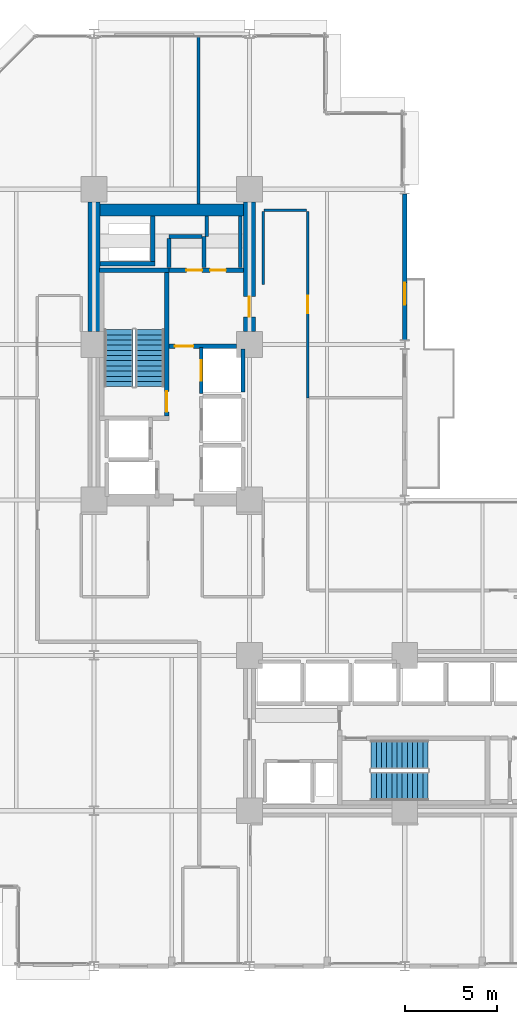
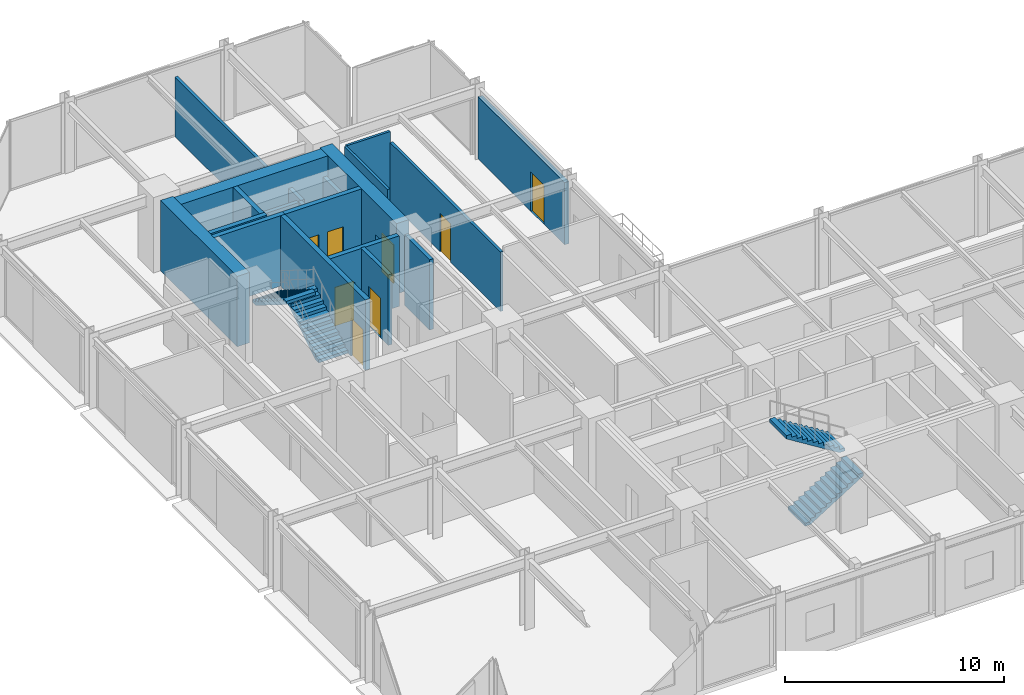
# One storey, part 22 of 25: 21 walls, 8 doors, 4 stair flights, 8 openings, 2 elements without a shape of their own.
"""IFC4 building model written with IfcOpenShell, lengths in metres."""

from ifc_helpers import new_model, si_unit, direction, frame, frame_2d, origin, place, context, subcontext, project, spatial, polyline, rectangle, outline, extrude, material, layer, layer_set, type_object, element, fill, aggregate, save


model = new_model("IFC4")

# Units and contexts
model_context = context("Model", 3, precision=1e-05, world=origin(), true_north=direction((0.0, 1.0)))
body_context = subcontext(model_context, "Body", "Model", "MODEL_VIEW")
ifc_project = project(units=[si_unit("LENGTHUNIT", "METRE"), si_unit("AREAUNIT", "SQUARE_METRE"), si_unit("VOLUMEUNIT", "CUBIC_METRE"), si_unit("PLANEANGLEUNIT", "RADIAN"), si_unit("MASSUNIT", "GRAM", prefix="KILO")], contexts=[model_context])

# Site, building, storey
site_placement = place(None, origin())
site = spatial("IfcSite", under=ifc_project, at=site_placement, CompositionType="ELEMENT")
building_placement = place(site_placement, origin())
building = spatial("IfcBuilding", under=site, at=building_placement, Name="Nerrivon Quay Data Exchange", CompositionType="ELEMENT")
storey_placement = place(building_placement, frame((0.0, 0.0, 54.199951171875)))
storey = spatial("IfcBuildingStorey", under=building, at=storey_placement, Name="L12", CompositionType="ELEMENT", Elevation=54.199951171875)

# Wall, opening, door
ifc_material_1 = material(Name="Architectural terracotta precast concrete N50 (50 MPa)", Category="masonry")
ifc_layer_1 = layer(ifc_material_1, 0.239990234375)
ifc_layer_set_1 = layer_set([ifc_layer_1], Name="Architectural terracotta precast concrete N50 (50 MPa)")
wall_type_1 = type_object("IfcWallType", Name="EW-PREC-240", PredefinedType="STANDARD", material=ifc_layer_set_1)
wall_1_placement = place(storey_placement, frame((25.199951171875, 41.75, 0.0), z_axis=(0.0, 0.0, 1.0), x_axis=(0.0, -1.0, 0.0)))
wall_1 = element("IfcWall", 1, at=wall_1_placement, inside=storey, type_object=wall_type_1, Name="L12 Terrace Host Wall 26", PredefinedType="STANDARD", context=body_context, shape_type="SweptSolid", body=[
    extrude(rectangle(XDim=7.89990234375, YDim=0.239990234375, at=frame_2d((3.949951171875, 0.0))), origin(), (0.0, 0.0, 1.0), 3.470947265625),
])
opening_1_placement = place(wall_1_placement, frame((4.800048828125, 0.0, 0.0)))
opening_1 = element("IfcOpeningElement", 2, at=opening_1_placement, cuts=wall_1, Name="Opening TD1", PredefinedType="OPENING", context=body_context, shape_type="SweptSolid", body=[
    extrude(rectangle(XDim=1.199951171875, YDim=2.199951171875, at=frame_2d((0.60009765625, 1.10009765625))), frame((0.0, 0.1298828125, 0.0), z_axis=(0.0, -1.0, 0.0), x_axis=(1.0, 0.0, 0.0)), (0.0, 0.0, 1.0), 0.260009765625),
])
ifc_material_2 = material(Name="Double-glazed low-E solar control glass", Category="glass")
door_type_1 = type_object("IfcDoorType", Name="DR-TERR-1200x2200", OperationType="NOTDEFINED", PredefinedType="DOOR", material=ifc_material_2)
door_1_placement = place(opening_1_placement, origin())
door_1 = element("IfcDoor", 3, at=door_1_placement, inside=storey, type_object=door_type_1, Name="L12 Outdoor Terrace Access Door 26", OperationType="SINGLE_SWING_LEFT", OverallHeight=2.199951171875, OverallWidth=1.199951171875, PredefinedType="DOOR", context=body_context, shape_type="SweptSolid", body=[
    extrude(rectangle(XDim=1.199951171875, YDim=2.199951171875, at=frame_2d((0.60009765625, 1.10009765625))), frame((0.0, 0.02490234375, 0.0), z_axis=(0.0, -1.0, 0.0), x_axis=(1.0, 0.0, 0.0)), (0.0, 0.0, 1.0), 0.050048828125),
])
fill(opening_1, door_1)

# Walls
ifc_material_3 = material(Name="Concrete N80 (80 MPa)", Category="concrete")
ifc_layer_2 = layer(ifc_material_3, 0.64990234375)
ifc_layer_set_2 = layer_set([ifc_layer_2], Name="Concrete N80 (80 MPa)")
wall_type_2 = type_object("IfcWallType", Name="WALL-CW-850", PredefinedType="SHEAR", material=ifc_layer_set_2)
wall_2_placement = place(storey_placement, frame((8.39990234375, 34.300048828125, 0.0), z_axis=(0.0, 0.0, 1.0), x_axis=(0.0, 1.0, 0.0)))
element("IfcWall", 4, at=wall_2_placement, inside=storey, type_object=wall_type_2, Name="L12 West Split-Core Shear Wall WCW-W2", PredefinedType="SHEAR", context=body_context, shape_type="SweptSolid", body=[
    extrude(rectangle(XDim=7.0, YDim=0.64990234375, at=frame_2d((3.5, 0.0))), origin(), (0.0, 0.0, 1.0), 3.925048828125),
])
wall_3_placement = place(storey_placement, frame((8.72509765625, 40.875, 0.0), z_axis=(0.0, 0.0, 1.0), x_axis=(1.0, 0.0, 0.0)))
element("IfcWall", 5, at=wall_3_placement, inside=storey, type_object=wall_type_2, Name="L12 West Split-Core Shear Wall WCW-N1", PredefinedType="SHEAR", context=body_context, shape_type="SweptSolid", body=[
    extrude(rectangle(XDim=7.75, YDim=0.64990234375, at=frame_2d((3.875, 0.0))), origin(), (0.0, 0.0, 1.0), 3.925048828125),
])

# Wall, opening, door
wall_4_placement = place(storey_placement, frame((16.800048828125, 34.300048828125, 0.0), z_axis=(0.0, 0.0, 1.0), x_axis=(0.0, 1.0, 0.0)))
wall_4 = element("IfcWall", 6, at=wall_4_placement, inside=storey, type_object=wall_type_2, Name="L12 West Split-Core Shear Wall WCW-E1", PredefinedType="SHEAR", context=body_context, shape_type="SweptSolid", body=[
    extrude(rectangle(XDim=7.0, YDim=0.64990234375, at=frame_2d((3.5, 0.0))), origin(), (0.0, 0.0, 1.0), 3.925048828125),
])
opening_2_placement = place(wall_4_placement, frame((0.800048828125, 0.0, 0.0)))
opening_2 = element("IfcOpeningElement", 7, at=opening_2_placement, cuts=wall_4, Name="Opening FD-120", PredefinedType="OPENING", context=body_context, shape_type="SweptSolid", body=[
    extrude(rectangle(XDim=1.10009765625, YDim=2.14990234375, at=frame_2d((0.550048828125, 1.074951171875))), frame((0.0, 0.3349609375, 0.0), z_axis=(0.0, -1.0, 0.0), x_axis=(1.0, 0.0, 0.0)), (0.0, 0.0, 1.0), 0.669921875),
])
ifc_material_4 = material(Name="Powder-coated galvanized steel sheet", Category="steel")
door_type_2 = type_object("IfcDoorType", Name="DR-FD120-1100", OperationType="NOTDEFINED", PredefinedType="DOOR", material=ifc_material_4)
door_2_placement = place(opening_2_placement, origin())
door_2 = element("IfcDoor", 8, at=door_2_placement, inside=storey, type_object=door_type_2, Name="L12 West Core Lobby Fire Door", OperationType="SINGLE_SWING_RIGHT", OverallHeight=2.14990234375, OverallWidth=1.10009765625, PredefinedType="DOOR", context=body_context, shape_type="SweptSolid", body=[
    extrude(rectangle(XDim=1.10009765625, YDim=2.14990234375, at=frame_2d((0.550048828125, 1.074951171875))), frame((0.0, 0.02490234375, 0.0), z_axis=(0.0, -1.0, 0.0), x_axis=(1.0, 0.0, 0.0)), (0.0, 0.0, 1.0), 0.050048828125),
])
fill(opening_2, door_2)

ifc_material_5 = material(Name="Gypsum plasterboard on cold-formed framing", Category="gypsum")
ifc_layer_3 = layer(ifc_material_5, 0.199951171875)
ifc_layer_set_3 = layer_set([ifc_layer_3], Name="Gypsum plasterboard on cold-formed framing")
wall_type_3 = type_object("IfcWallType", Name="WALL-FW-200", PredefinedType="PARTITIONING", material=ifc_layer_set_3)
wall_5_placement = place(storey_placement, frame((14.199951171875, 30.949951171875, 0.0), z_axis=(0.0, 0.0, 1.0), x_axis=(0.0, 1.0, 0.0)))
wall_5 = element("IfcWall", 9, at=wall_5_placement, inside=storey, type_object=wall_type_3, Name="L12 Lift Front Wall PL3", PredefinedType="PARTITIONING", context=body_context, shape_type="SweptSolid", body=[
    extrude(rectangle(XDim=2.5, YDim=0.199951171875, at=frame_2d((1.25, 0.0))), origin(), (0.0, 0.0, 1.0), 3.925048828125),
])
opening_3_placement = place(wall_5_placement, frame((0.699951171875, 0.0, 0.0)))
opening_3 = element("IfcOpeningElement", 10, at=opening_3_placement, cuts=wall_5, Name="Opening LD-120", PredefinedType="OPENING", context=body_context, shape_type="SweptSolid", body=[
    extrude(rectangle(XDim=1.10009765625, YDim=2.199951171875, at=frame_2d((0.550048828125, 1.10009765625))), frame((0.0, 0.10986328125, 0.0), z_axis=(0.0, -1.0, 0.0), x_axis=(1.0, 0.0, 0.0)), (0.0, 0.0, 1.0), 0.219970703125),
])
door_type_3 = type_object("IfcDoorType", Name="DR-LIFT-LD120", OperationType="DOUBLE_DOOR_SLIDING", PredefinedType="DOOR", material=ifc_material_4)
door_3_placement = place(opening_3_placement, origin())
door_3 = element("IfcDoor", 11, at=door_3_placement, inside=storey, type_object=door_type_3, Name="L12 Lift Landing Sliding Door PL3", OperationType="DOUBLE_DOOR_SLIDING", OverallHeight=2.199951171875, OverallWidth=1.10009765625, PredefinedType="DOOR", context=body_context, shape_type="SweptSolid", body=[
    extrude(rectangle(XDim=1.10009765625, YDim=2.199951171875, at=frame_2d((0.550048828125, 1.10009765625))), frame((0.0, 0.02490234375, 0.0), z_axis=(0.0, -1.0, 0.0), x_axis=(1.0, 0.0, 0.0)), (0.0, 0.0, 1.0), 0.050048828125),
])
fill(opening_3, door_3)

# Walls
wall_6_placement = place(storey_placement, frame((16.449951171875, 31.050048828125, 0.0), z_axis=(0.0, 0.0, 1.0), x_axis=(0.0, 1.0, 0.0)))
element("IfcWall", 12, at=wall_6_placement, inside=storey, type_object=wall_type_3, Name="L12 Lift Shaft Wall PL3 EAST", PredefinedType="PARTITIONING", context=body_context, shape_type="SweptSolid", body=[
    extrude(rectangle(XDim=2.300048828125, YDim=0.199951171875, at=frame_2d((1.14990234375, 0.0))), origin(), (0.0, 0.0, 1.0), 3.925048828125),
])
wall_7_placement = place(storey_placement, frame((14.35009765625, 37.780029296875, 0.0), z_axis=(0.0, 0.0, 1.0), x_axis=(0.0, 1.0, 0.0)))
element("IfcWall", 13, at=wall_7_placement, inside=storey, type_object=wall_type_3, Name="L12 Partition Equipment Store", PredefinedType="PARTITIONING", context=body_context, shape_type="SweptSolid", body=[
    extrude(rectangle(XDim=1.669921875, YDim=0.199951171875, at=frame_2d((0.8349609375, 0.0))), origin(), (0.0, 0.0, 1.0), 2.824951171875),
])
wall_8_placement = place(storey_placement, frame((14.24609375, 39.449951171875, 0.0), z_axis=(0.0, 0.0, 1.0), x_axis=(-1.0, 0.0, 0.0)))
element("IfcWall", 14, at=wall_8_placement, inside=storey, type_object=wall_type_3, Name="L12 Partition Equipment Store", PredefinedType="PARTITIONING", context=body_context, shape_type="SweptSolid", body=[
    extrude(rectangle(XDim=1.796142578125, YDim=0.199951171875, at=frame_2d((0.89794921875, 0.0))), origin(), (0.0, 0.0, 1.0), 2.824951171875),
])
wall_9_placement = place(storey_placement, frame((12.449951171875, 39.345947265625, 0.0), z_axis=(0.0, 0.0, 1.0), x_axis=(0.0, -1.0, 0.0)))
element("IfcWall", 15, at=wall_9_placement, inside=storey, type_object=wall_type_3, Name="L12 Partition Equipment Store", PredefinedType="PARTITIONING", context=body_context, shape_type="SweptSolid", body=[
    extrude(rectangle(XDim=1.56591796875, YDim=0.199951171875, at=frame_2d((0.782958984375, 0.0))), origin(), (0.0, 0.0, 1.0), 2.824951171875),
])
wall_10_placement = place(storey_placement, frame((16.300048828125, 37.780029296875, 0.0), z_axis=(0.0, 0.0, 1.0), x_axis=(0.0, 1.0, 0.0)))
element("IfcWall", 16, at=wall_10_placement, inside=storey, type_object=wall_type_3, Name="L12 Partition Cleaners Store", PredefinedType="PARTITIONING", context=body_context, shape_type="SweptSolid", body=[
    extrude(rectangle(XDim=2.765869140625, YDim=0.199951171875, at=frame_2d((1.3828125, 0.0))), origin(), (0.0, 0.0, 1.0), 2.824951171875),
])
wall_11_placement = place(storey_placement, frame((14.489990234375, 40.5458984375, 0.0), z_axis=(0.0, 0.0, 1.0), x_axis=(0.0, -1.0, 0.0)))
element("IfcWall", 17, at=wall_11_placement, inside=storey, type_object=wall_type_3, Name="L12 Partition Cleaners Store", PredefinedType="PARTITIONING", context=body_context, shape_type="SweptSolid", body=[
    extrude(rectangle(XDim=1.095947265625, YDim=0.199951171875, at=frame_2d((0.5478515625, 0.0))), origin(), (0.0, 0.0, 1.0), 2.824951171875),
])
ifc_layer_4 = layer(ifc_material_5, 0.1201171875)
ifc_layer_set_4 = layer_set([ifc_layer_4], Name="Gypsum plasterboard on cold-formed framing")
wall_type_4 = type_object("IfcWallType", Name="WALL-PT-120", PredefinedType="PARTITIONING", material=ifc_layer_set_4)
wall_12_placement = place(storey_placement, frame((17.60009765625, 40.860107421875, 0.0), z_axis=(0.0, 0.0, 1.0), x_axis=(1.0, 0.0, 0.0)))
element("IfcWall", 18, at=wall_12_placement, inside=storey, type_object=wall_type_4, Name="L12 Partition Staff Bistro", PredefinedType="PARTITIONING", context=body_context, shape_type="SweptSolid", body=[
    extrude(rectangle(XDim=2.2998046875, YDim=0.1201171875, at=frame_2d((1.14990234375, 0.0))), origin(), (0.0, 0.0, 1.0), 3.925048828125),
])
ifc_layer_5 = layer(ifc_material_5, 0.135009765625)
ifc_layer_set_5 = layer_set([ifc_layer_5], Name="Gypsum plasterboard on cold-formed framing")
wall_type_5 = type_object("IfcWallType", Name="WALL-PT-135", PredefinedType="PARTITIONING", material=ifc_layer_set_5)
wall_13_placement = place(storey_placement, frame((17.5400390625, 36.860107421875, 0.0), z_axis=(0.0, 0.0, 1.0), x_axis=(0.0, 1.0, 0.0)))
element("IfcWall", 19, at=wall_13_placement, inside=storey, type_object=wall_type_5, Name="L12 Partition Staff Bistro", PredefinedType="PARTITIONING", context=body_context, shape_type="SweptSolid", body=[
    extrude(rectangle(XDim=3.93994140625, YDim=0.135009765625, at=frame_2d((1.969970703125, 0.0))), origin(), (0.0, 0.0, 1.0), 3.925048828125),
])

# Wall, opening, door
ifc_layer_6 = layer(ifc_material_5, 0.14990234375)
ifc_layer_set_6 = layer_set([ifc_layer_6], Name="Gypsum plasterboard on cold-formed framing")
wall_type_6 = type_object("IfcWallType", Name="WALL-PT-150", PredefinedType="PARTITIONING", material=ifc_layer_set_6)
wall_14_placement = place(storey_placement, frame((19.9599609375, 40.800048828125, 0.0), z_axis=(0.0, 0.0, 1.0), x_axis=(0.0, -1.0, 0.0)))
wall_14 = element("IfcWall", 20, at=wall_14_placement, inside=storey, type_object=wall_type_6, Name="L12 Partition Staff Bistro", PredefinedType="PARTITIONING", context=body_context, shape_type="SweptSolid", body=[
    extrude(rectangle(XDim=10.078125, YDim=0.14990234375, at=frame_2d((5.0390625, 0.0))), origin(), (0.0, 0.0, 1.0), 3.31298828125),
])
opening_4_placement = place(wall_14_placement, frame((4.56396484375, 0.0, 0.0)))
opening_4 = element("IfcOpeningElement", 21, at=opening_4_placement, cuts=wall_14, Name="Opening D-01", PredefinedType="OPENING", context=body_context, shape_type="SweptSolid", body=[
    extrude(rectangle(XDim=0.949951171875, YDim=2.14990234375, at=frame_2d((0.47509765625, 1.074951171875))), frame((0.0, 0.0849609375, 0.0), z_axis=(0.0, -1.0, 0.0), x_axis=(1.0, 0.0, 0.0)), (0.0, 0.0, 1.0), 0.169921875),
])
ifc_material_6 = material(Name="Engineered hardwood timber", Category="wood")
door_type_4 = type_object("IfcDoorType", Name="DR-INT-950", OperationType="NOTDEFINED", PredefinedType="DOOR", material=ifc_material_6)
door_4_placement = place(opening_4_placement, origin())
door_4 = element("IfcDoor", 22, at=door_4_placement, inside=storey, type_object=door_type_4, Name="L12 Door Staff Bistro", OperationType="SINGLE_SWING_RIGHT", OverallHeight=2.14990234375, OverallWidth=0.949951171875, PredefinedType="DOOR", context=body_context, shape_type="SweptSolid", body=[
    extrude(rectangle(XDim=0.949951171875, YDim=2.14990234375, at=frame_2d((0.47509765625, 1.074951171875))), frame((0.0, 0.02490234375, 0.0), z_axis=(0.0, -1.0, 0.0), x_axis=(1.0, 0.0, 0.0)), (0.0, 0.0, 1.0), 0.050048828125),
])
fill(opening_4, door_4)

# Walls
wall_15_placement = place(storey_placement, frame((14.0546875, 50.23095703125, 0.0), z_axis=(0.0, 0.0, 1.0), x_axis=(0.0, -1.0, 0.0)))
element("IfcWall", 23, at=wall_15_placement, inside=storey, type_object=wall_type_6, Name="L12 Partition Staff Bistro", PredefinedType="PARTITIONING", context=body_context, shape_type="SweptSolid", body=[
    extrude(rectangle(XDim=9.02685546875, YDim=0.14990234375, at=frame_2d((4.513427734375, 0.0))), origin(), (0.0, 0.0, 1.0), 3.31298828125),
])
ifc_material_7 = material(Name="Concrete N50 (50 MPa)", Category="concrete")
ifc_layer_7 = layer(ifc_material_7, 0.25)
ifc_layer_set_7 = layer_set([ifc_layer_7], Name="Concrete N50 (50 MPa)")
wall_type_7 = type_object("IfcWallType", Name="WALL-SW-250", PredefinedType="SHEAR", material=ifc_layer_set_7)
wall_16_placement = place(storey_placement, frame((12.449951171875, 37.625, 0.0), z_axis=(0.0, 0.0, 1.0), x_axis=(-1.0, 0.0, 0.0)))
element("IfcWall", 24, at=wall_16_placement, inside=storey, type_object=wall_type_7, Name="L12 ST01 Structural Stair Core Wall FAR", PredefinedType="SHEAR", context=body_context, shape_type="SweptSolid", body=[
    extrude(rectangle(XDim=3.75, YDim=0.25, at=frame_2d((1.875, 0.0))), origin(), (0.0, 0.0, 1.0), 3.925048828125),
])

# Wall, opening, door
wall_17_placement = place(storey_placement, frame((12.324951171875, 29.75, 0.0), z_axis=(0.0, 0.0, 1.0), x_axis=(0.0, 1.0, 0.0)))
wall_17 = element("IfcWall", 25, at=wall_17_placement, inside=storey, type_object=wall_type_7, Name="L12 ST01 Structural Stair Core Wall LEFT", PredefinedType="SHEAR", context=body_context, shape_type="SweptSolid", body=[
    extrude(rectangle(XDim=7.75, YDim=0.25, at=frame_2d((3.875, 0.0))), origin(), (0.0, 0.0, 1.0), 3.925048828125),
])
opening_5_placement = place(wall_17_placement, frame((0.219970703125, 0.0, 0.0)))
opening_5 = element("IfcOpeningElement", 26, at=opening_5_placement, cuts=wall_17, Name="Opening FD-120", PredefinedType="OPENING", context=body_context, shape_type="SweptSolid", body=[
    extrude(rectangle(XDim=1.10009765625, YDim=2.14990234375, at=frame_2d((0.550048828125, 1.074951171875))), frame((0.0, 0.135009765625, 0.0), z_axis=(0.0, -1.0, 0.0), x_axis=(1.0, 0.0, 0.0)), (0.0, 0.0, 1.0), 0.27001953125),
])
door_5_placement = place(opening_5_placement, origin())
door_5 = element("IfcDoor", 27, at=door_5_placement, inside=storey, type_object=door_type_2, Name="L12 Protected Stair Door ST01", OperationType="SINGLE_SWING_RIGHT", OverallHeight=2.14990234375, OverallWidth=1.10009765625, PredefinedType="DOOR", context=body_context, shape_type="SweptSolid", body=[
    extrude(rectangle(XDim=1.10009765625, YDim=2.14990234375, at=frame_2d((0.550048828125, 1.074951171875))), frame((0.0, 0.02490234375, 0.0), z_axis=(0.0, -1.0, 0.0), x_axis=(1.0, 0.0, 0.0)), (0.0, 0.0, 1.0), 0.050048828125),
])
fill(opening_5, door_5)

# Walls
wall_18_placement = place(storey_placement, frame((8.72509765625, 37.97509765625, 0.0), z_axis=(0.0, 0.0, 1.0), x_axis=(1.0, 0.0, 0.0)))
element("IfcWall", 28, at=wall_18_placement, inside=storey, type_object=wall_type_7, Name="L12 West Core MEP Riser Shaft Wall S", PredefinedType="SHEAR", context=body_context, shape_type="SweptSolid", body=[
    extrude(rectangle(XDim=2.974853515625, YDim=0.25, at=frame_2d((1.4873046875, 0.0))), origin(), (0.0, 0.0, 1.0), 3.925048828125),
])
wall_19_placement = place(storey_placement, frame((11.574951171875, 38.10009765625, 0.0), z_axis=(0.0, 0.0, 1.0), x_axis=(0.0, 1.0, 0.0)))
element("IfcWall", 29, at=wall_19_placement, inside=storey, type_object=wall_type_7, Name="L12 West Core MEP Riser Shaft Wall E", PredefinedType="SHEAR", context=body_context, shape_type="SweptSolid", body=[
    extrude(rectangle(XDim=2.449951171875, YDim=0.25, at=frame_2d((1.22509765625, 0.0))), origin(), (0.0, 0.0, 1.0), 3.925048828125),
])

# Wall, opening, door
wall_20_placement = place(storey_placement, frame((12.449951171875, 33.52001953125, 0.0), z_axis=(0.0, 0.0, 1.0), x_axis=(1.0, 0.0, 0.0)))
wall_20 = element("IfcWall", 30, at=wall_20_placement, inside=storey, type_object=wall_type_7, Name="L12 West Lobby Smoke-Stop Wall", PredefinedType="SHEAR", context=body_context, shape_type="SweptSolid", body=[
    extrude(rectangle(XDim=3.650146484375, YDim=0.25, at=frame_2d((1.8251953125, 0.0))), origin(), (0.0, 0.0, 1.0), 3.925048828125),
])
opening_6_placement = place(wall_20_placement, frame((0.320068359375, 0.0, 0.0)))
opening_6 = element("IfcOpeningElement", 31, at=opening_6_placement, cuts=wall_20, Name="Opening FD-60", PredefinedType="OPENING", context=body_context, shape_type="SweptSolid", body=[
    extrude(rectangle(XDim=1.0, YDim=2.14990234375, at=frame_2d((0.5, 1.074951171875))), frame((0.0, 0.135009765625, 0.0), z_axis=(0.0, -1.0, 0.0), x_axis=(1.0, 0.0, 0.0)), (0.0, 0.0, 1.0), 0.27001953125),
])
door_type_5 = type_object("IfcDoorType", Name="DR-FD60-1000", OperationType="NOTDEFINED", PredefinedType="DOOR", material=ifc_material_6)
door_6_placement = place(opening_6_placement, origin())
door_6 = element("IfcDoor", 32, at=door_6_placement, inside=storey, type_object=door_type_5, Name="L12 West Firefighting Lobby Fire Door", OperationType="SINGLE_SWING_RIGHT", OverallHeight=2.14990234375, OverallWidth=1.0, PredefinedType="DOOR", context=body_context, shape_type="SweptSolid", body=[
    extrude(rectangle(XDim=1.0, YDim=2.14990234375, at=frame_2d((0.5, 1.074951171875))), frame((0.0, 0.02490234375, 0.0), z_axis=(0.0, -1.0, 0.0), x_axis=(1.0, 0.0, 0.0)), (0.0, 0.0, 1.0), 0.050048828125),
])
fill(opening_6, door_6)

# Wall, openings, doors
wall_21_placement = place(storey_placement, frame((12.449951171875, 37.625, 0.0), z_axis=(0.0, 0.0, 1.0), x_axis=(1.0, 0.0, 0.0)))
wall_21 = element("IfcWall", 33, at=wall_21_placement, inside=storey, type_object=wall_type_7, Name="L12 West Firefighting Lobby Wall", PredefinedType="SHEAR", context=body_context, shape_type="SweptSolid", body=[
    extrude(rectangle(XDim=4.025146484375, YDim=0.25, at=frame_2d((2.0126953125, 0.0))), origin(), (0.0, 0.0, 1.0), 3.925048828125),
])
opening_7_placement = place(wall_21_placement, frame((0.943603515625, 0.0, 0.0)))
opening_7 = element("IfcOpeningElement", 34, at=opening_7_placement, cuts=wall_21, Name="Opening FD-60S", PredefinedType="OPENING", context=body_context, shape_type="SweptSolid", body=[
    extrude(rectangle(XDim=0.85009765625, YDim=2.14990234375, at=frame_2d((0.425048828125, 1.074951171875))), frame((0.0, 0.135009765625, 0.0), z_axis=(0.0, -1.0, 0.0), x_axis=(1.0, 0.0, 0.0)), (0.0, 0.0, 1.0), 0.27001953125),
])
opening_8_placement = place(wall_21_placement, frame((2.2314453125, 0.0, 0.0)))
opening_8 = element("IfcOpeningElement", 35, at=opening_8_placement, cuts=wall_21, Name="Opening FD-60S", PredefinedType="OPENING", context=body_context, shape_type="SweptSolid", body=[
    extrude(rectangle(XDim=0.85009765625, YDim=2.14990234375, at=frame_2d((0.425048828125, 1.074951171875))), frame((0.0, 0.135009765625, 0.0), z_axis=(0.0, -1.0, 0.0), x_axis=(1.0, 0.0, 0.0)), (0.0, 0.0, 1.0), 0.27001953125),
])
door_type_6 = type_object("IfcDoorType", Name="DR-FD60-850", OperationType="NOTDEFINED", PredefinedType="DOOR", material=ifc_material_6)
door_7_placement = place(opening_7_placement, origin())
door_7 = element("IfcDoor", 36, at=door_7_placement, inside=storey, type_object=door_type_6, Name="L12 Door Equipment Store", OperationType="SINGLE_SWING_RIGHT", OverallHeight=2.14990234375, OverallWidth=0.85009765625, PredefinedType="DOOR", context=body_context, shape_type="SweptSolid", body=[
    extrude(rectangle(XDim=0.85009765625, YDim=2.14990234375, at=frame_2d((0.425048828125, 1.074951171875))), frame((0.0, 0.02490234375, 0.0), z_axis=(0.0, -1.0, 0.0), x_axis=(1.0, 0.0, 0.0)), (0.0, 0.0, 1.0), 0.050048828125),
])
fill(opening_7, door_7)
door_8_placement = place(opening_8_placement, origin())
door_8 = element("IfcDoor", 37, at=door_8_placement, inside=storey, type_object=door_type_6, Name="L12 Door Cleaners Store", OperationType="SINGLE_SWING_LEFT", OverallHeight=2.14990234375, OverallWidth=0.85009765625, PredefinedType="DOOR", context=body_context, shape_type="SweptSolid", body=[
    extrude(rectangle(XDim=0.85009765625, YDim=2.14990234375, at=frame_2d((0.425048828125, 1.074951171875))), frame((0.0, 0.02490234375, 0.0), z_axis=(0.0, -1.0, 0.0), x_axis=(1.0, 0.0, 0.0)), (0.0, 0.0, 1.0), 0.050048828125),
])
fill(opening_8, door_8)

# Stair, stair flights
stair_type = type_object("IfcStairType", Name="STAIR-DOG-42", PredefinedType="HALF_TURN_STAIR", material=ifc_material_7)
stair_1_placement = place(storey_placement, origin())
stair_1 = element("IfcStair", 38, at=stair_1_placement, inside=storey, type_object=stair_type, Name="L12 West Core Fire Stair ST01", PredefinedType="HALF_TURN_STAIR")
stair_flight_type = type_object("IfcStairFlightType", Name="FLIGHT-DOG-42", PredefinedType="STRAIGHT", material=ifc_material_7)
stair_flight_1_placement = place(storey_placement, frame((11.425048828125, 31.330078125, 0.0), z_axis=(0.0, 0.0, 1.0), x_axis=(0.0, 1.0, 0.0)))
stair_flight_1 = element("IfcStairFlight", 39, at=stair_flight_1_placement, type_object=stair_flight_type, Name="ST01 flight 1", NumberOfRisers=12, NumberOfTreads=11, PredefinedType="STRAIGHT", RiserHeight=0.175, TreadLength=0.28, context=body_context, shape_type="SweptSolid", body=[
    extrude(outline(polyline([(0.0, 0.0), (0.0, 0.175048828125), (0.280029296875, 0.175048828125), (0.280029296875, 0.35009765625), (0.56005859375, 0.35009765625), (0.56005859375, 0.52490234375), (0.840087890625, 0.52490234375), (0.840087890625, 0.699951171875), (1.1201171875, 0.699951171875), (1.1201171875, 0.875), (1.39990234375, 0.875), (1.39990234375, 1.050048828125), (1.679931640625, 1.050048828125), (1.679931640625, 1.22509765625), (1.9599609375, 1.22509765625), (1.9599609375, 1.39990234375), (2.239990234375, 1.39990234375), (2.239990234375, 1.574951171875), (2.52001953125, 1.574951171875), (2.52001953125, 1.75), (2.800048828125, 1.75), (2.800048828125, 1.925048828125), (3.080078125, 1.925048828125), (3.080078125, 2.10009765625), (3.080078125, 1.748291015625), (0.28271484375, 0.0), (0.0, 0.0)])), frame((0.0, 0.77490234375, 0.0), z_axis=(0.0, -1.0, 0.0), x_axis=(1.0, 0.0, 0.0)), (0.0, 0.0, 1.0), 1.550048828125),
])
stair_flight_2_placement = place(storey_placement, frame((9.72509765625, 34.409912109375, 2.10009765625), z_axis=(0.0, 0.0, 1.0), x_axis=(0.0, -1.0, 0.0)))
stair_flight_2 = element("IfcStairFlight", 40, at=stair_flight_2_placement, type_object=stair_flight_type, Name="ST01 flight 2", NumberOfRisers=12, NumberOfTreads=11, PredefinedType="STRAIGHT", RiserHeight=0.175, TreadLength=0.28, context=body_context, shape_type="SweptSolid", body=[
    extrude(outline(polyline([(0.0, 0.0), (0.0, 0.175048828125), (0.280029296875, 0.175048828125), (0.280029296875, 0.35009765625), (0.56005859375, 0.35009765625), (0.56005859375, 0.52490234375), (0.840087890625, 0.52490234375), (0.840087890625, 0.699951171875), (1.1201171875, 0.699951171875), (1.1201171875, 0.875), (1.39990234375, 0.875), (1.39990234375, 1.050048828125), (1.679931640625, 1.050048828125), (1.679931640625, 1.22509765625), (1.9599609375, 1.22509765625), (1.9599609375, 1.39990234375), (2.239990234375, 1.39990234375), (2.239990234375, 1.574951171875), (2.52001953125, 1.574951171875), (2.52001953125, 1.75), (2.800048828125, 1.75), (2.800048828125, 1.925048828125), (3.080078125, 1.925048828125), (3.080078125, 2.10009765625), (3.080078125, 1.748291015625), (0.28271484375, 0.0), (0.0, 0.0)])), frame((0.0, 0.77490234375, 0.0), z_axis=(0.0, -1.0, 0.0), x_axis=(1.0, 0.0, 0.0)), (0.0, 0.0, 1.0), 1.550048828125),
])
aggregate(stair_1, [stair_flight_1, stair_flight_2])

stair_2_placement = place(storey_placement, origin())
stair_2 = element("IfcStair", 41, at=stair_2_placement, inside=storey, type_object=stair_type, Name="L12 East Core Fire Stair ST02", PredefinedType="HALF_TURN_STAIR")
stair_flight_3_placement = place(storey_placement, frame((23.3798828125, 9.72509765625, 0.0), z_axis=(0.0, 0.0, 1.0), x_axis=(1.0, 0.0, 0.0)))
stair_flight_3 = element("IfcStairFlight", 42, at=stair_flight_3_placement, type_object=stair_flight_type, Name="ST02 flight 1", NumberOfRisers=12, NumberOfTreads=11, PredefinedType="STRAIGHT", RiserHeight=0.175, TreadLength=0.28, context=body_context, shape_type="SweptSolid", body=[
    extrude(outline(polyline([(0.0, 0.0), (0.0, 0.175048828125), (0.280029296875, 0.175048828125), (0.280029296875, 0.35009765625), (0.56005859375, 0.35009765625), (0.56005859375, 0.52490234375), (0.840087890625, 0.52490234375), (0.840087890625, 0.699951171875), (1.1201171875, 0.699951171875), (1.1201171875, 0.875), (1.39990234375, 0.875), (1.39990234375, 1.050048828125), (1.679931640625, 1.050048828125), (1.679931640625, 1.22509765625), (1.9599609375, 1.22509765625), (1.9599609375, 1.39990234375), (2.239990234375, 1.39990234375), (2.239990234375, 1.574951171875), (2.52001953125, 1.574951171875), (2.52001953125, 1.75), (2.800048828125, 1.75), (2.800048828125, 1.925048828125), (3.080078125, 1.925048828125), (3.080078125, 2.10009765625), (3.080078125, 1.748291015625), (0.28271484375, 0.0), (0.0, 0.0)])), frame((0.0, 0.77490234375, 0.0), z_axis=(0.0, -1.0, 0.0), x_axis=(1.0, 0.0, 0.0)), (0.0, 0.0, 1.0), 1.550048828125),
])
stair_flight_4_placement = place(storey_placement, frame((26.4599609375, 11.425048828125, 2.10009765625), z_axis=(0.0, 0.0, 1.0), x_axis=(-1.0, 0.0, 0.0)))
stair_flight_4 = element("IfcStairFlight", 43, at=stair_flight_4_placement, type_object=stair_flight_type, Name="ST02 flight 2", NumberOfRisers=12, NumberOfTreads=11, PredefinedType="STRAIGHT", RiserHeight=0.175, TreadLength=0.28, context=body_context, shape_type="SweptSolid", body=[
    extrude(outline(polyline([(0.0, 0.0), (0.0, 0.175048828125), (0.280029296875, 0.175048828125), (0.280029296875, 0.35009765625), (0.56005859375, 0.35009765625), (0.56005859375, 0.52490234375), (0.840087890625, 0.52490234375), (0.840087890625, 0.699951171875), (1.1201171875, 0.699951171875), (1.1201171875, 0.875), (1.39990234375, 0.875), (1.39990234375, 1.050048828125), (1.679931640625, 1.050048828125), (1.679931640625, 1.22509765625), (1.9599609375, 1.22509765625), (1.9599609375, 1.39990234375), (2.239990234375, 1.39990234375), (2.239990234375, 1.574951171875), (2.52001953125, 1.574951171875), (2.52001953125, 1.75), (2.800048828125, 1.75), (2.800048828125, 1.925048828125), (3.080078125, 1.925048828125), (3.080078125, 2.10009765625), (3.080078125, 1.748291015625), (0.28271484375, 0.0), (0.0, 0.0)])), frame((0.0, 0.77490234375, 0.0), z_axis=(0.0, -1.0, 0.0), x_axis=(1.0, 0.0, 0.0)), (0.0, 0.0, 1.0), 1.550048828125),
])
aggregate(stair_2, [stair_flight_3, stair_flight_4])

save(model, "model.ifc")
